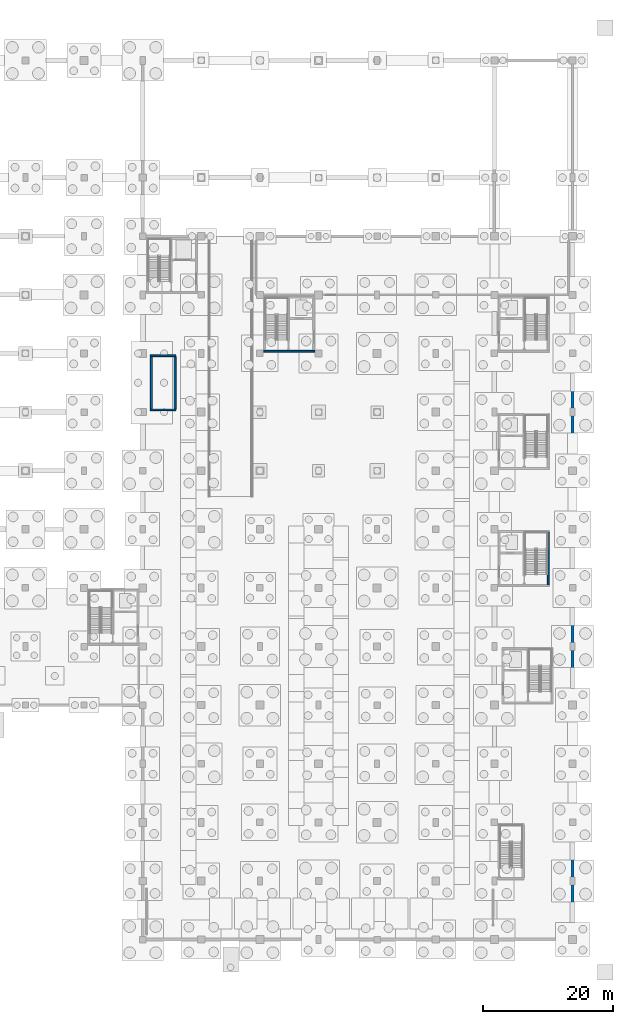
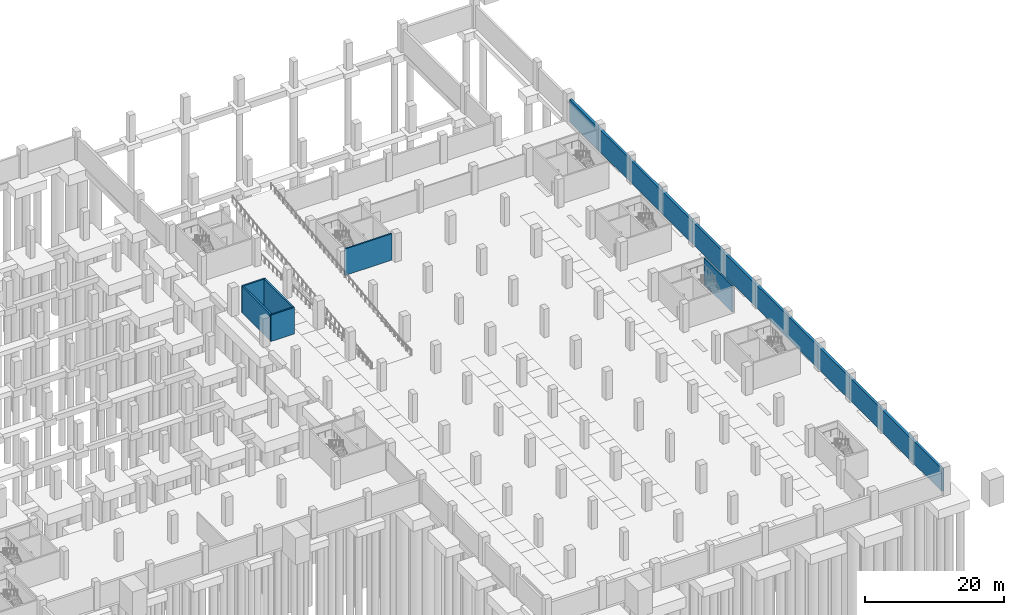
# One storey, part 20 of 37: 7 walls.
"""IFC4 building model written with IfcOpenShell, lengths in metres."""

from ifc_helpers import new_model, si_unit, direction, frame, frame_2d, origin, place, context, subcontext, project, spatial, rectangle, extrude, material, layer, layer_set, type_object, element, save


model = new_model("IFC4")

# Units and contexts
model_context = context("Model", 3, precision=1e-05, world=origin(), true_north=direction((0.0, 1.0)))
body_context = subcontext(model_context, "Body", "Model", "MODEL_VIEW")
ifc_project = project(units=[si_unit("LENGTHUNIT", "METRE"), si_unit("AREAUNIT", "SQUARE_METRE"), si_unit("VOLUMEUNIT", "CUBIC_METRE"), si_unit("PLANEANGLEUNIT", "RADIAN"), si_unit("MASSUNIT", "GRAM", prefix="KILO")], contexts=[model_context])

# Site, building, storey
site_placement = place(None, origin())
site = spatial("IfcSite", under=ifc_project, at=site_placement, CompositionType="ELEMENT")
building_placement = place(site_placement, origin())
building = spatial("IfcBuilding", under=site, at=building_placement, Name="Barlavento Convention Centre", CompositionType="ELEMENT")
storey_placement = place(building_placement, frame((0.0, 0.0, -5.0)))
storey = spatial("IfcBuildingStorey", under=building, at=storey_placement, Name="B1", CompositionType="ELEMENT", Elevation=-5.0)

# Walls
ifc_material_1 = material(Name="Concrete C50/60", Category="concrete")
ifc_layer_1 = layer(ifc_material_1, 0.25)
ifc_layer_set_1 = layer_set([ifc_layer_1], Name="STR-WL-CORE-250")
wall_type_1 = type_object("IfcWallType", Name="STR-WL-CORE-250", PredefinedType="SHEAR", material=ifc_layer_set_1)
wall_1_placement = place(storey_placement, frame((188.27490234375, 54.469970703125, 0.0), z_axis=(0.0, 0.0, 1.0), x_axis=(0.0, 1.0, 0.0)))
element("IfcWall", 1, at=wall_1_placement, inside=storey, type_object=wall_type_1, Name="B1 interior wall CW-02", PredefinedType="SHEAR", context=body_context, shape_type="SweptSolid", body=[
    extrude(rectangle(XDim=8.06005859375, YDim=0.25, at=frame_2d((4.030029296875, 0.0))), origin(), (0.0, 0.0, 1.0), 4.639892578125),
])
wall_2_placement = place(storey_placement, frame((144.60009765625, 90.344970703125, 0.0), z_axis=(0.0, 0.0, 1.0), x_axis=(1.0, 0.0, 0.0)))
element("IfcWall", 2, at=wall_2_placement, inside=storey, type_object=wall_type_1, Name="B1 interior wall CW-02", PredefinedType="SHEAR", context=body_context, shape_type="SweptSolid", body=[
    extrude(rectangle(XDim=7.7998046875, YDim=0.25, at=frame_2d((3.89990234375, 0.0))), origin(), (0.0, 0.0, 1.0), 4.639892578125),
])
for number, where, z_axis, x_axis, name in (
    (3, (127.199951171875, 81.344970703125, 0.0), (0.0, 0.0, 1.0), (1.0, 0.0, 0.0), "B1 interior wall CW-02"),
    (4, (127.199951171875, 89.655029296875, 0.0), (0.0, 0.0, 1.0), (1.0, 0.0, 0.0), "B1 interior wall CW-02"),
):
    element("IfcWall", number, at=place(storey_placement, frame(where, z_axis=z_axis, x_axis=x_axis)), inside=storey, type_object=wall_type_1, Name=name, PredefinedType="SHEAR", context=body_context, shape_type="SweptSolid", body=[
        extrude(rectangle(XDim=3.900146484375, YDim=0.25, at=frame_2d((1.9501953125, 0.0))), origin(), (0.0, 0.0, 1.0), 4.639892578125),
    ])
ifc_layer_2 = layer(ifc_material_1, 0.300048828125)
ifc_layer_set_2 = layer_set([ifc_layer_2], Name="STR-WL-CORE-300")
wall_type_2 = type_object("IfcWallType", Name="STR-WL-CORE-300", PredefinedType="SHEAR", material=ifc_layer_set_2)
for number, where, z_axis, x_axis, name in (
    (5, (127.324951171875, 81.469970703125, 0.0), (0.0, 0.0, 1.0), (0.0, 1.0, 0.0), "B1 interior wall CW-01"),
    (6, (130.97509765625, 81.469970703125, 0.0), (0.0, 0.0, 1.0), (0.0, 1.0, 0.0), "B1 interior wall CW-01"),
):
    element("IfcWall", number, at=place(storey_placement, frame(where, z_axis=z_axis, x_axis=x_axis)), inside=storey, type_object=wall_type_2, Name=name, PredefinedType="SHEAR", context=body_context, shape_type="SweptSolid", body=[
        extrude(rectangle(XDim=8.06005859375, YDim=0.300048828125, at=frame_2d((4.030029296875, 0.0))), origin(), (0.0, 0.0, 1.0), 4.639892578125),
    ])
ifc_material_2 = material(Name="Concrete C40/50", Category="concrete")
ifc_layer_3 = layer(ifc_material_2, 0.39990234375)
ifc_layer_set_3 = layer_set([ifc_layer_3], Name="STR-WL-SHR-400")
wall_type_3 = type_object("IfcWallType", Name="STR-WL-SHR-400", PredefinedType="SHEAR", material=ifc_layer_set_3)
wall_3_placement = place(storey_placement, frame((192.0, 0.594970703125, 0.0), z_axis=(0.0, 0.0, 1.0), x_axis=(0.0, 1.0, 0.0)))
element("IfcWall", 7, at=wall_3_placement, inside=storey, type_object=wall_type_3, Name="B1 exterior wall SW01", PredefinedType="SHEAR", context=body_context, shape_type="SweptSolid", body=[
    extrude(rectangle(XDim=106.81005859375, YDim=0.39990234375, at=frame_2d((53.405029296875, 0.0))), origin(), (0.0, 0.0, 1.0), 3.949951171875),
])

save(model, "model.ifc")
